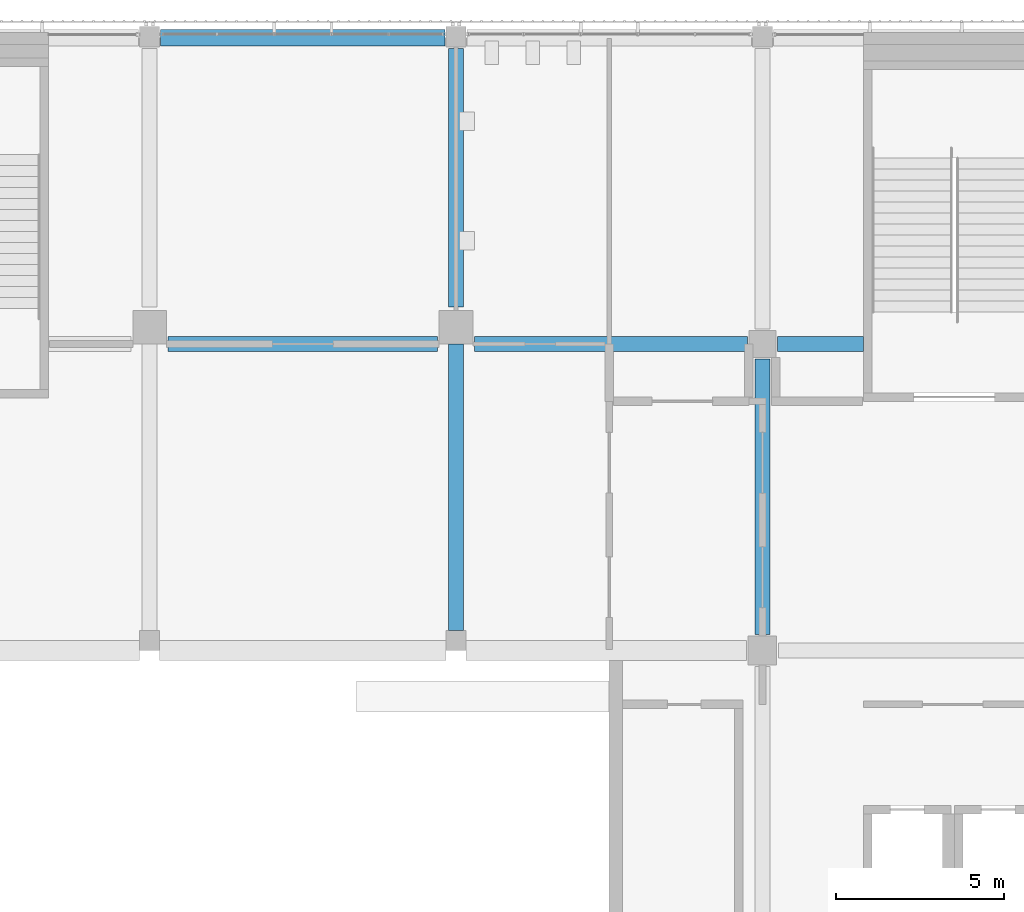
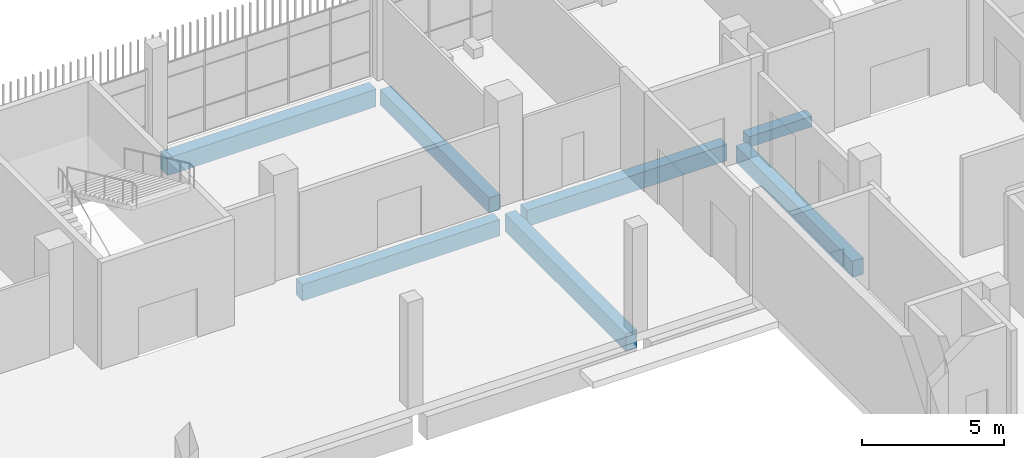
# One storey, part 41 of 126: 7 beams.
"""IFC4 building model written with IfcOpenShell, lengths in metres."""

from ifc_helpers import new_model, si_unit, direction, frame, origin, origin_2d, place, context, subcontext, project, spatial, rectangle, extrude, material, material_profile, profile_set, type_object, element, save


model = new_model("IFC4")

# Units and contexts
model_context = context("Model", 3, precision=1e-05, world=origin(), true_north=direction((0.0, 1.0)))
body_context = subcontext(model_context, "Body", "Model", "MODEL_VIEW")
ifc_project = project(units=[si_unit("LENGTHUNIT", "METRE"), si_unit("AREAUNIT", "SQUARE_METRE"), si_unit("VOLUMEUNIT", "CUBIC_METRE"), si_unit("PLANEANGLEUNIT", "RADIAN"), si_unit("MASSUNIT", "GRAM", prefix="KILO")], contexts=[model_context])

# Site, building, storey
site_placement = place(None, origin())
site = spatial("IfcSite", under=ifc_project, at=site_placement, CompositionType="ELEMENT")
building_placement = place(site_placement, origin())
building = spatial("IfcBuilding", under=site, at=building_placement, Name="Shirokan Park Arena", CompositionType="ELEMENT")
storey_placement = place(building_placement, frame((0.0, 0.0, 6.3701171875)))
storey = spatial("IfcBuildingStorey", under=building, at=storey_placement, Name="L01", CompositionType="ELEMENT", Elevation=6.3701171875)

# Beams
ifc_material = material(Name="Concrete C35", Category="concrete")
ifc_material_profile_1 = material_profile(ifc_material, rectangle(XDim=0.449951171875, YDim=0.64990234375, at=origin_2d()), Name="450x650")
ifc_profile_set_1 = profile_set([ifc_material_profile_1], Name="Concrete C35")
beam_type_1 = type_object("IfcBeamType", Name="RC girder 450x650", PredefinedType="BEAM", material=ifc_profile_set_1)
beam_1_placement = place(storey_placement, frame((100.10009765625, 101.2001953125, -0.675048828125), z_axis=(0.0, 1.0, 0.0), x_axis=(-1.0, 0.0, 0.0)))
element("IfcBeam", 1, at=beam_1_placement, inside=storey, type_object=beam_type_1, Name="Girder 12M-12N L01", PredefinedType="BEAM", context=body_context, shape_type="SweptSolid", body=[
    extrude(rectangle(XDim=0.449951171875, YDim=0.64990234375, at=origin_2d()), origin(), (0.0, 0.0, 1.0), 7.6748046875),
])
ifc_material_profile_2 = material_profile(ifc_material, rectangle(XDim=0.449951171875, YDim=0.699951171875, at=origin_2d()), Name="450x700")
ifc_profile_set_2 = profile_set([ifc_material_profile_2], Name="Concrete C35")
beam_type_2 = type_object("IfcBeamType", Name="RC girder 450x700", PredefinedType="BEAM", material=ifc_profile_set_2)
beam_2_placement = place(storey_placement, frame((91.550048828125, 100.10009765625, -0.7001953125), z_axis=(1.0, 0.0, 0.0), x_axis=(0.0, 1.0, 0.0)))
element("IfcBeam", 2, at=beam_2_placement, inside=storey, type_object=beam_type_2, Name="Girder 11M-12M L01", PredefinedType="BEAM", context=body_context, shape_type="SweptSolid", body=[
    extrude(rectangle(XDim=0.449951171875, YDim=0.699951171875, at=origin_2d()), origin(), (0.0, 0.0, 1.0), 7.999755859375),
])
beam_3_placement = place(storey_placement, frame((100.650146484375, 100.10009765625, -0.7001953125), z_axis=(1.0, 0.0, 0.0), x_axis=(0.0, 1.0, 0.0)))
element("IfcBeam", 3, at=beam_3_placement, inside=storey, type_object=beam_type_2, Name="Girder 12M-13M L01", PredefinedType="BEAM", context=body_context, shape_type="SweptSolid", body=[
    extrude(rectangle(XDim=0.449951171875, YDim=0.699951171875, at=origin_2d()), origin(), (0.0, 0.0, 1.0), 8.099853515625),
])
beam_4_placement = place(storey_placement, frame((109.199951171875, 91.47509765625, -0.7001953125), z_axis=(0.0, 1.0, 0.0), x_axis=(-1.0, 0.0, 0.0)))
element("IfcBeam", 4, at=beam_4_placement, inside=storey, type_object=beam_type_2, Name="Girder 13L-13M L01", PredefinedType="BEAM", context=body_context, shape_type="SweptSolid", body=[
    extrude(rectangle(XDim=0.449951171875, YDim=0.699951171875, at=origin_2d()), origin(), (0.0, 0.0, 1.0), 8.1748046875),
])
ifc_material_profile_3 = material_profile(ifc_material, rectangle(XDim=0.449951171875, YDim=0.75, at=origin_2d()), Name="450x750")
ifc_profile_set_3 = profile_set([ifc_material_profile_3], Name="Concrete C35")
beam_type_3 = type_object("IfcBeamType", Name="RC girder 450x750", PredefinedType="BEAM", material=ifc_profile_set_3)
beam_5_placement = place(storey_placement, frame((100.10009765625, 91.60009765625, -0.72509765625), z_axis=(0.0, 1.0, 0.0), x_axis=(-1.0, 0.0, 0.0)))
element("IfcBeam", 5, at=beam_5_placement, inside=storey, type_object=beam_type_3, Name="Girder 12L-12M L01", PredefinedType="BEAM", context=body_context, shape_type="SweptSolid", body=[
    extrude(rectangle(XDim=0.449951171875, YDim=0.75, at=origin_2d()), origin(), (0.0, 0.0, 1.0), 8.499755859375),
])
ifc_material_profile_4 = material_profile(ifc_material, rectangle(XDim=0.5, YDim=0.75, at=origin_2d()), Name="500x750")
ifc_profile_set_4 = profile_set([ifc_material_profile_4], Name="Concrete C35")
beam_type_4 = type_object("IfcBeamType", Name="RC girder 500x750", PredefinedType="BEAM", material=ifc_profile_set_4)
beam_6_placement = place(storey_placement, frame((91.3251953125, 109.199951171875, -0.72509765625), z_axis=(1.0, 0.0, 0.0), x_axis=(0.0, 1.0, 0.0)))
element("IfcBeam", 6, at=beam_6_placement, inside=storey, type_object=beam_type_4, Name="Girder 11N-12N L01", PredefinedType="BEAM", context=body_context, shape_type="SweptSolid", body=[
    extrude(rectangle(XDim=0.5, YDim=0.75, at=origin_2d()), origin(), (0.0, 0.0, 1.0), 8.44970703125),
])
ifc_material_profile_5 = material_profile(ifc_material, rectangle(XDim=0.449951171875, YDim=0.449951171875, at=origin_2d()), Name="450x450")
ifc_profile_set_5 = profile_set([ifc_material_profile_5], Name="Concrete C35")
beam_type_5 = type_object("IfcBeamType", Name="RC trimmer 450x450", PredefinedType="BEAM", material=ifc_profile_set_5)
beam_7_placement = place(storey_placement, frame((109.650146484375, 100.10009765625, -0.5751953125), z_axis=(1.0, 0.0, 0.0), x_axis=(0.0, 1.0, 0.0)))
element("IfcBeam", 7, at=beam_7_placement, inside=storey, type_object=beam_type_5, Name="Girder 13M-14M L01", PredefinedType="BEAM", context=body_context, shape_type="SweptSolid", body=[
    extrude(rectangle(XDim=0.449951171875, YDim=0.449951171875, at=origin_2d()), origin(), (0.0, 0.0, 1.0), 2.5498046875),
])

save(model, "model.ifc")
